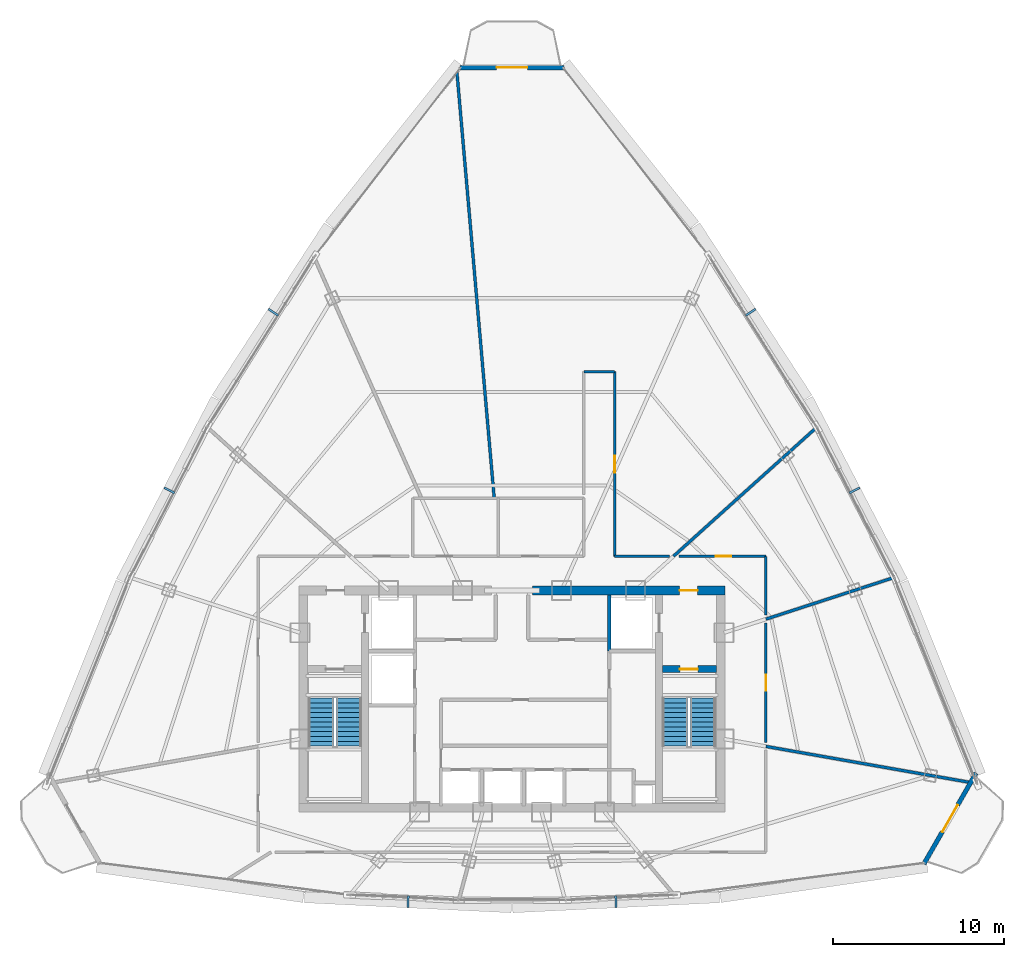
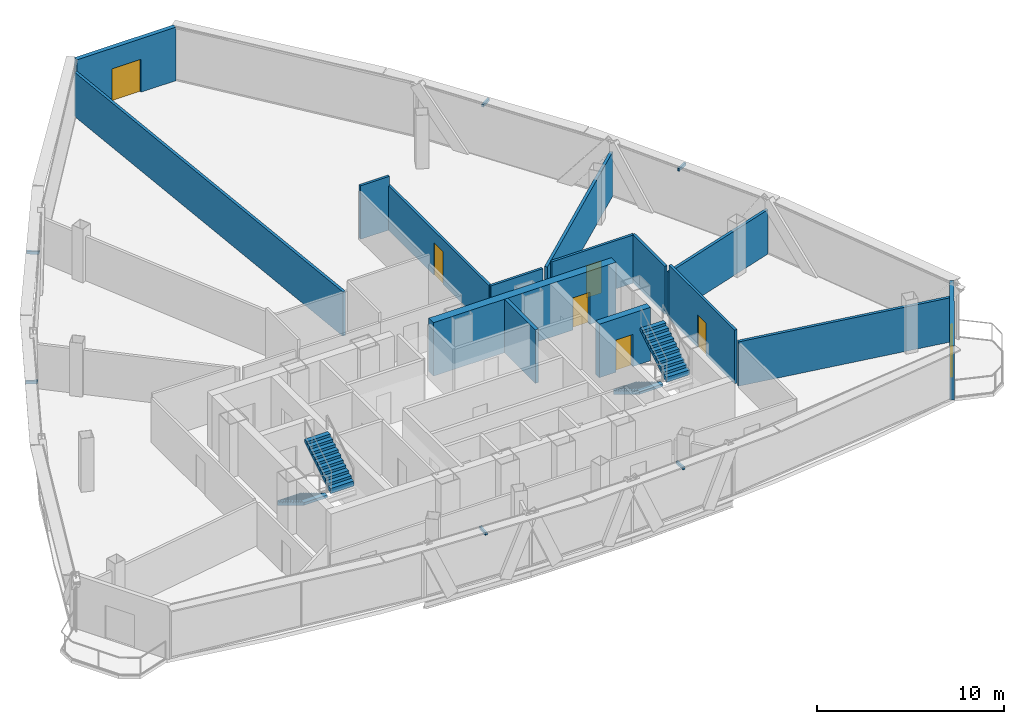
# One storey, part 27 of 30: 15 walls, 7 doors, 6 discrete accessories, 4 stair flights, 7 openings, 2 elements without a shape of their own.
"""IFC4 building model written with IfcOpenShell, lengths in metres."""

from ifc_helpers import new_model, si_unit, direction, frame, frame_2d, origin, origin_with_axes, origin_2d, place, context, subcontext, project, spatial, polyline, rectangle, outline, extrude, source, transform, mapped, material, layer, layer_set, type_object, element, fill, aggregate, save


model = new_model("IFC4")

# Units and contexts
model_context = context("Model", 3, precision=1e-05, world=origin(), true_north=direction((0.0, 1.0)))
body_context = subcontext(model_context, "Body", "Model", "MODEL_VIEW")
ifc_project = project(units=[si_unit("LENGTHUNIT", "METRE"), si_unit("AREAUNIT", "SQUARE_METRE"), si_unit("VOLUMEUNIT", "CUBIC_METRE"), si_unit("PLANEANGLEUNIT", "RADIAN"), si_unit("MASSUNIT", "GRAM", prefix="KILO"), si_unit("THERMODYNAMICTEMPERATUREUNIT", "KELVIN"), si_unit("POWERUNIT", "WATT")], contexts=[model_context])

# Site, building, storey
site_placement = place(None, origin())
site = spatial("IfcSite", under=ifc_project, at=site_placement, CompositionType="ELEMENT")
building_placement = place(site_placement, origin())
building = spatial("IfcBuilding", under=site, at=building_placement, Name="Yunzhuo Pagoda Commons", CompositionType="ELEMENT")
storey_placement = place(building_placement, frame((0.0, 0.0, 348.010009765625)))
storey = spatial("IfcBuildingStorey", under=building, at=storey_placement, Name="L87", CompositionType="ELEMENT", Elevation=348.010009765625)

# Wall, opening, door
ifc_material_1 = material(Name="Precast concrete C40", Category="concrete")
ifc_layer_1 = layer(ifc_material_1, 0.260009765625)
ifc_layer_set_1 = layer_set([ifc_layer_1], Name="Precast concrete C40")
wall_type_1 = type_object("IfcWallType", Name="W-BAL1 Corner Balcony Threshold Wall 260", PredefinedType="STANDARD", material=ifc_layer_set_1)
wall_1_placement = place(storey_placement, frame((72.085693359375, 24.211669921875, 0.0), z_axis=(0.0, 0.0, 1.0), x_axis=(0.49795859982, 0.867200803082, 0.0)))
wall_1 = element("IfcWall", 1, at=wall_1_placement, inside=storey, type_object=wall_type_1, Name="L87 corner balcony wall V2", PredefinedType="STANDARD", context=body_context, shape_type="SweptSolid", body=[
    extrude(rectangle(XDim=6.12255859375, YDim=0.260009765625, at=frame_2d((3.061279296875, 0.0))), origin(), (0.0, 0.0, 1.0), 3.489990234375),
])
opening_1_placement = place(wall_1_placement, frame((2.161376953125, 0.0, 0.0)))
opening_1 = element("IfcOpeningElement", 2, at=opening_1_placement, cuts=wall_1, Name="Opening D-BAL1", PredefinedType="OPENING", context=body_context, shape_type="SweptSolid", body=[
    extrude(rectangle(XDim=1.800048828125, YDim=2.14990234375, at=frame_2d((0.89990234375, 1.074951171875))), frame((0.0, 0.14013671875, 0.0), z_axis=(0.0, -1.0, 0.0), x_axis=(1.0, 0.0, 0.0)), (0.0, 0.0, 1.0), 0.280029296875),
])
ifc_material_2 = material(Name="Anodized aluminium frame and tempered glazed leaf", Category="aluminium")
door_type_1 = type_object("IfcDoorType", Name="D-BAL1 Corner Balcony Sliding Glazed Door 1800x2150", OperationType="DOUBLE_DOOR_SLIDING", PredefinedType="DOOR", material=ifc_material_2)
shared_shape_1 = source(origin(), body_context, "Body", "SweptSolid", [
    extrude(rectangle(XDim=1.800048828125, YDim=2.14990234375, at=frame_2d((0.89990234375, 1.074951171875))), frame((0.0, 0.02490234375, 0.0), z_axis=(0.0, -1.0, 0.0), x_axis=(1.0, 0.0, 0.0)), (0.0, 0.0, 1.0), 0.050048828125),
])
door_1_placement = place(opening_1_placement, origin_with_axes())
door_1 = element("IfcDoor", 3, at=door_1_placement, inside=storey, type_object=door_type_1, Name="L87 corner balcony sliding door V2", OperationType="DOUBLE_DOOR_SLIDING", OverallHeight=2.14990234375, OverallWidth=1.800048828125, PredefinedType="DOOR", context=body_context, shape_type="MappedRepresentation", body=[
    mapped(shared_shape_1, transform((0.0, 0.0, 0.0), scale=1.0)),
])
fill(opening_1, door_1)

wall_2_placement = place(storey_placement, frame((51.04931640625, 70.779052734375, 0.0), z_axis=(0.0, 0.0, 1.0), x_axis=(-1.0, 0.0, 0.0)))
wall_2 = element("IfcWall", 4, at=wall_2_placement, inside=storey, type_object=wall_type_1, Name="L87 corner balcony wall V3", PredefinedType="STANDARD", context=body_context, shape_type="SweptSolid", body=[
    extrude(rectangle(XDim=6.0986328125, YDim=0.260009765625, at=frame_2d((3.04931640625, 0.0))), origin(), (0.0, 0.0, 1.0), 3.489990234375),
])
opening_2_placement = place(wall_2_placement, frame((2.149169921875, 0.0, 0.0)))
opening_2 = element("IfcOpeningElement", 5, at=opening_2_placement, cuts=wall_2, Name="Opening D-BAL1", PredefinedType="OPENING", context=body_context, shape_type="SweptSolid", body=[
    extrude(rectangle(XDim=1.800048828125, YDim=2.14990234375, at=frame_2d((0.89990234375, 1.074951171875))), frame((0.0, 0.14013671875, 0.0), z_axis=(0.0, -1.0, 0.0), x_axis=(1.0, 0.0, 0.0)), (0.0, 0.0, 1.0), 0.280029296875),
])
door_2_placement = place(opening_2_placement, origin_with_axes())
door_2 = element("IfcDoor", 6, at=door_2_placement, inside=storey, type_object=door_type_1, Name="L87 corner balcony sliding door V3", OperationType="DOUBLE_DOOR_SLIDING", OverallHeight=2.14990234375, OverallWidth=1.800048828125, PredefinedType="DOOR", context=body_context, shape_type="MappedRepresentation", body=[
    mapped(shared_shape_1, transform((0.0, 0.0, 0.0), scale=1.0)),
])
fill(opening_2, door_2)

ifc_material_3 = material(Name="Concrete C50", Category="concrete")
ifc_layer_2 = layer(ifc_material_3, 0.5)
ifc_layer_set_2 = layer_set([ifc_layer_2], Name="Concrete C50")
wall_type_2 = type_object("IfcWallType", Name="W-C03 Upper Core Shear Wall 500", PredefinedType="SHEAR", material=ifc_layer_set_2)
wall_3_placement = place(storey_placement, frame((49.199951171875, 40.199951171875, 0.0), z_axis=(0.0, 0.0, 1.0), x_axis=(1.0, 0.0, 0.0)))
wall_3 = element("IfcWall", 7, at=wall_3_placement, inside=storey, type_object=wall_type_2, Name="L87 core shear wall NE", PredefinedType="SHEAR", context=body_context, shape_type="SweptSolid", body=[
    extrude(rectangle(XDim=11.25, YDim=0.5, at=frame_2d((5.625, 0.0))), origin(), (0.0, 0.0, 1.0), 3.489990234375),
])
opening_3_placement = place(wall_3_placement, frame((8.60009765625, 0.0, 0.0)))
opening_3 = element("IfcOpeningElement", 8, at=opening_3_placement, cuts=wall_3, Name="Opening D-02", PredefinedType="OPENING", context=body_context, shape_type="SweptSolid", body=[
    extrude(rectangle(XDim=1.050048828125, YDim=2.10009765625, at=frame_2d((0.52490234375, 1.050048828125))), frame((0.0, 0.260009765625, 0.0), z_axis=(0.0, -1.0, 0.0), x_axis=(1.0, 0.0, 0.0)), (0.0, 0.0, 1.0), 0.52001953125),
])
ifc_material_4 = material(Name="Galvanized fire-resisting metal leaf")
door_type_2 = type_object("IfcDoorType", Name="D-02 Firefighting Lobby & Refuge Fire Door 1050x2100", OperationType="NOTDEFINED", PredefinedType="DOOR", material=ifc_material_4)
shared_shape_2 = source(origin(), body_context, "Body", "SweptSolid", [
    extrude(rectangle(XDim=1.050048828125, YDim=2.10009765625, at=frame_2d((0.52490234375, 1.050048828125))), frame((0.0, 0.02490234375, 0.0), z_axis=(0.0, -1.0, 0.0), x_axis=(1.0, 0.0, 0.0)), (0.0, 0.0, 1.0), 0.050048828125),
])
door_3_placement = place(opening_3_placement, frame((1.050048828125, 0.0, 0.0), z_axis=(0.0, 0.0, 1.0), x_axis=(-1.0, 0.0, 0.0)))
door_3 = element("IfcDoor", 9, at=door_3_placement, inside=storey, type_object=door_type_2, Name="L87 Firefighting Lobby 2 fire door", OperationType="SINGLE_SWING_RIGHT", OverallHeight=2.10009765625, OverallWidth=1.050048828125, PredefinedType="DOOR", context=body_context, shape_type="MappedRepresentation", body=[
    mapped(shared_shape_2, transform((0.0, 0.0, 0.0), scale=1.0)),
])
fill(opening_3, door_3)

# Wall
ifc_material_5 = material(Name="Gypsum plasterboard on acoustic stud")
ifc_layer_3 = layer(ifc_material_5, 0.14990234375)
ifc_layer_set_3 = layer_set([ifc_layer_3], Name="Gypsum plasterboard on acoustic stud")
wall_type_3 = type_object("IfcWallType", Name="W-COR3 High-Zone Rated Corridor Wall 150", PredefinedType="PARTITIONING", material=ifc_layer_set_3)
wall_4_placement = place(storey_placement, frame((52.199951171875, 53.0, 0.0), z_axis=(0.0, 0.0, 1.0), x_axis=(1.0, 0.0, 0.0)))
element("IfcWall", 10, at=wall_4_placement, inside=storey, type_object=wall_type_3, Name="L87 interior wall IW-L87-CWL06", PredefinedType="PARTITIONING", context=body_context, shape_type="SweptSolid", body=[
    extrude(rectangle(XDim=1.800048828125, YDim=0.14990234375, at=frame_2d((0.89990234375, 0.0))), origin(), (0.0, 0.0, 1.0), 3.489990234375),
])

# Wall, opening, door
wall_5_placement = place(storey_placement, frame((54.0, 53.0, 0.0), z_axis=(0.0, 0.0, 1.0), x_axis=(0.0, -1.0, 0.0)))
wall_5 = element("IfcWall", 11, at=wall_5_placement, inside=storey, type_object=wall_type_3, Name="L87 interior wall IW-L87-CWL07", PredefinedType="PARTITIONING", context=body_context, shape_type="SweptSolid", body=[
    extrude(rectangle(XDim=10.800048828125, YDim=0.14990234375, at=frame_2d((5.39990234375, 0.0))), origin(), (0.0, 0.0, 1.0), 2.889892578125),
])
opening_4_placement = place(wall_5_placement, frame((4.925048828125, 0.0, 0.0)))
opening_4 = element("IfcOpeningElement", 12, at=opening_4_placement, cuts=wall_5, Name="Opening D-08", PredefinedType="OPENING", context=body_context, shape_type="SweptSolid", body=[
    extrude(rectangle(XDim=0.97998046875, YDim=2.1201171875, at=frame_2d((0.489990234375, 1.06005859375))), frame((0.0, 0.0849609375, 0.0), z_axis=(0.0, -1.0, 0.0), x_axis=(1.0, 0.0, 0.0)), (0.0, 0.0, 1.0), 0.169921875),
])
door_type_3 = type_object("IfcDoorType", Name="D-08 High-Zone Suite Entrance Fire Door 980x2120", OperationType="NOTDEFINED", PredefinedType="DOOR", material=ifc_material_4)
shared_shape_3 = source(origin(), body_context, "Body", "SweptSolid", [
    extrude(rectangle(XDim=0.97998046875, YDim=2.1201171875, at=frame_2d((0.489990234375, 1.06005859375))), frame((0.0, 0.02490234375, 0.0), z_axis=(0.0, -1.0, 0.0), x_axis=(1.0, 0.0, 0.0)), (0.0, 0.0, 1.0), 0.050048828125),
])
door_4_placement = place(opening_4_placement, origin_with_axes())
door_4 = element("IfcDoor", 13, at=door_4_placement, inside=storey, type_object=door_type_3, Name="L87 Shared Resident Kitchen and Pantry door", OperationType="SINGLE_SWING_LEFT", OverallHeight=2.1201171875, OverallWidth=0.97998046875, PredefinedType="DOOR", context=body_context, shape_type="MappedRepresentation", body=[
    mapped(shared_shape_3, transform((0.0, 0.0, 0.0), scale=1.0)),
])
fill(opening_4, door_4)

# Wall
wall_6_placement = place(storey_placement, frame((54.0, 42.199951171875, 0.0), z_axis=(0.0, 0.0, 1.0), x_axis=(1.0, 0.0, 0.0)))
element("IfcWall", 14, at=wall_6_placement, inside=storey, type_object=wall_type_3, Name="L87 interior wall IW-L87-CWL08", PredefinedType="PARTITIONING", context=body_context, shape_type="SweptSolid", body=[
    extrude(rectangle(XDim=3.220458984375, YDim=0.14990234375, at=frame_2d((1.6103515625, 0.0))), origin(), (0.0, 0.0, 1.0), 2.889892578125),
])

# Wall, opening, door
wall_7_placement = place(storey_placement, frame((57.76904296875, 42.199951171875, 0.0), z_axis=(0.0, 0.0, 1.0), x_axis=(1.0, 0.0, 0.0)))
wall_7 = element("IfcWall", 15, at=wall_7_placement, inside=storey, type_object=wall_type_3, Name="L87 interior wall IW-L87-CWL09", PredefinedType="PARTITIONING", context=body_context, shape_type="SweptSolid", body=[
    extrude(rectangle(XDim=5.0810546875, YDim=0.14990234375, at=frame_2d((2.54052734375, 0.0))), origin(), (0.0, 0.0, 1.0), 3.139892578125),
])
opening_5_placement = place(wall_7_placement, frame((2.14599609375, 0.0, 0.0)))
opening_5 = element("IfcOpeningElement", 16, at=opening_5_placement, cuts=wall_7, Name="Opening D-04", PredefinedType="OPENING", context=body_context, shape_type="SweptSolid", body=[
    extrude(rectangle(XDim=0.919921875, YDim=2.10009765625, at=frame_2d((0.4599609375, 1.050048828125))), frame((0.0, 0.0849609375, 0.0), z_axis=(0.0, -1.0, 0.0), x_axis=(1.0, 0.0, 0.0)), (0.0, 0.0, 1.0), 0.169921875),
])
ifc_material_6 = material(Name="Powder-coated aluminium and timber acoustic leaf", Category="wood")
door_type_4 = type_object("IfcDoorType", Name="D-04 Bedroom & Study Interior Door 920x2100", OperationType="NOTDEFINED", PredefinedType="DOOR", material=ifc_material_6)
shared_shape_4 = source(origin(), body_context, "Body", "SweptSolid", [
    extrude(rectangle(XDim=0.919921875, YDim=2.10009765625, at=frame_2d((0.4599609375, 1.050048828125))), frame((0.0, 0.02490234375, 0.0), z_axis=(0.0, -1.0, 0.0), x_axis=(1.0, 0.0, 0.0)), (0.0, 0.0, 1.0), 0.050048828125),
])
door_5_placement = place(opening_5_placement, origin_with_axes())
door_5 = element("IfcDoor", 17, at=door_5_placement, inside=storey, type_object=door_type_4, Name="L87 seminar room 02 door", OperationType="SINGLE_SWING_RIGHT", OverallHeight=2.10009765625, OverallWidth=0.919921875, PredefinedType="DOOR", context=body_context, shape_type="MappedRepresentation", body=[
    mapped(shared_shape_4, transform((0.0, 0.0, 0.0), scale=1.0)),
])
fill(opening_5, door_5)

# Wall
wall_8_placement = place(storey_placement, frame((62.85009765625, 42.199951171875, 0.0), z_axis=(0.0, 0.0, 1.0), x_axis=(0.0, -1.0, 0.0)))
element("IfcWall", 18, at=wall_8_placement, inside=storey, type_object=wall_type_3, Name="L87 interior wall IW-L87-CWL10", PredefinedType="PARTITIONING", context=body_context, shape_type="SweptSolid", body=[
    extrude(rectangle(XDim=3.443603515625, YDim=0.14990234375, at=frame_2d((1.7216796875, 0.0))), origin(), (0.0, 0.0, 1.0), 3.139892578125),
])

# Wall, opening, door
wall_9_placement = place(storey_placement, frame((62.85009765625, 38.305419921875, 0.0), z_axis=(0.0, 0.0, 1.0), x_axis=(0.0, -1.0, 0.0)))
wall_9 = element("IfcWall", 19, at=wall_9_placement, inside=storey, type_object=wall_type_3, Name="L87 interior wall IW-L87-CWL11", PredefinedType="PARTITIONING", context=body_context, shape_type="SweptSolid", body=[
    extrude(rectangle(XDim=7.004150390625, YDim=0.14990234375, at=frame_2d((3.501953125, 0.0))), origin(), (0.0, 0.0, 1.0), 3.489990234375),
])
opening_6_placement = place(wall_9_placement, frame((3.0419921875, 0.0, 0.0)))
opening_6 = element("IfcOpeningElement", 20, at=opening_6_placement, cuts=wall_9, Name="Opening D-04", PredefinedType="OPENING", context=body_context, shape_type="SweptSolid", body=[
    extrude(rectangle(XDim=0.919921875, YDim=2.10009765625, at=frame_2d((0.4599609375, 1.050048828125))), frame((0.0, 0.0849609375, 0.0), z_axis=(0.0, -1.0, 0.0), x_axis=(1.0, 0.0, 0.0)), (0.0, 0.0, 1.0), 0.169921875),
])
door_6_placement = place(opening_6_placement, origin_with_axes())
door_6 = element("IfcDoor", 21, at=door_6_placement, inside=storey, type_object=door_type_4, Name="L87 seminar room 01 door", OperationType="SINGLE_SWING_LEFT", OverallHeight=2.10009765625, OverallWidth=0.919921875, PredefinedType="DOOR", context=body_context, shape_type="MappedRepresentation", body=[
    mapped(shared_shape_4, transform((0.0, 0.0, 0.0), scale=1.0)),
])
fill(opening_6, door_6)

# Walls
ifc_layer_4 = layer(ifc_material_5, 0.169921875)
ifc_layer_set_4 = layer_set([ifc_layer_4], Name="Gypsum plasterboard on acoustic stud")
wall_type_4 = type_object("IfcWallType", Name="W-PRT4 High-Zone Demising Wall 170", PredefinedType="PARTITIONING", material=ifc_layer_set_4)
wall_10_placement = place(storey_placement, frame((62.85009765625, 38.525146484375, 0.0), z_axis=(0.0, 0.0, 1.0), x_axis=(0.951060216318, 0.309005606642, 0.0)))
element("IfcWall", 22, at=wall_10_placement, inside=storey, type_object=wall_type_4, Name="L87 interior wall IW-L87-RAD01", PredefinedType="PARTITIONING", context=body_context, shape_type="SweptSolid", body=[
    extrude(rectangle(XDim=7.889892578125, YDim=0.169921875, at=frame_2d((3.94482421875, 0.0))), origin(), (0.0, 0.0, 1.0), 2.889892578125),
])
wall_11_placement = place(storey_placement, frame((57.440185546875, 42.199951171875, 0.0), z_axis=(0.0, 0.0, 1.0), x_axis=(0.74314133574, 0.669134482085, 0.0)))
element("IfcWall", 23, at=wall_11_placement, inside=storey, type_object=wall_type_4, Name="L87 interior wall IW-L87-RAD02", PredefinedType="PARTITIONING", context=body_context, shape_type="SweptSolid", body=[
    extrude(rectangle(XDim=11.2822265625, YDim=0.169921875, at=frame_2d((5.64111328125, 0.0))), origin(), (0.0, 0.0, 1.0), 2.889892578125),
])
wall_12_placement = place(storey_placement, frame((46.958984375, 45.60009765625, 0.0), z_axis=(0.0, 0.0, 1.0), x_axis=(-0.087155434332, 0.996194725075, 0.0)))
element("IfcWall", 24, at=wall_12_placement, inside=storey, type_object=wall_type_4, Name="L87 interior wall IW-L87-RAD03", PredefinedType="PARTITIONING", context=body_context, shape_type="SweptSolid", body=[
    extrude(rectangle(XDim=24.98388671875, YDim=0.169921875, at=frame_2d((12.491943359375, 0.0))), origin(), (0.0, 0.0, 1.0), 2.889892578125),
])
wall_13_placement = place(storey_placement, frame((62.85009765625, 31.08154296875, 0.0), z_axis=(0.0, 0.0, 1.0), x_axis=(0.984808019511, -0.173646666272, 0.0)))
element("IfcWall", 25, at=wall_13_placement, inside=storey, type_object=wall_type_4, Name="L87 interior wall IW-L87-RAD10", PredefinedType="PARTITIONING", context=body_context, shape_type="SweptSolid", body=[
    extrude(rectangle(XDim=12.153076171875, YDim=0.169921875, at=frame_2d((6.07666015625, 0.0))), origin(), (0.0, 0.0, 1.0), 2.889892578125),
])

# Wall, opening, door
ifc_material_7 = material(Name="Concrete C60", Category="concrete")
ifc_layer_5 = layer(ifc_material_7, 0.39990234375)
ifc_layer_set_5 = layer_set([ifc_layer_5], Name="Concrete C60")
wall_type_5 = type_object("IfcWallType", Name="W-S01 Internal Core Shear Web 400", PredefinedType="SHEAR", material=ifc_layer_set_5)
wall_14_placement = place(storey_placement, frame((56.800048828125, 35.60009765625, 0.0), z_axis=(0.0, 0.0, 1.0), x_axis=(1.0, 0.0, 0.0)))
wall_14 = element("IfcWall", 26, at=wall_14_placement, inside=storey, type_object=wall_type_5, Name="L87 core shear wall STE", PredefinedType="SHEAR", context=body_context, shape_type="SweptSolid", body=[
    extrude(rectangle(XDim=3.14990234375, YDim=0.39990234375, at=frame_2d((1.574951171875, 0.0))), origin(), (0.0, 0.0, 1.0), 3.489990234375),
])
opening_7_placement = place(wall_14_placement, frame((1.02001953125, 0.0, 0.0)))
opening_7 = element("IfcOpeningElement", 27, at=opening_7_placement, cuts=wall_14, Name="Opening D-01", PredefinedType="OPENING", context=body_context, shape_type="SweptSolid", body=[
    extrude(rectangle(XDim=1.050048828125, YDim=2.10009765625, at=frame_2d((0.52490234375, 1.050048828125))), frame((0.0, 0.2099609375, 0.0), z_axis=(0.0, -1.0, 0.0), x_axis=(1.0, 0.0, 0.0)), (0.0, 0.0, 1.0), 0.419921875),
])
door_type_5 = type_object("IfcDoorType", Name="D-01 Smokeproof Stair Fire Door 1050x2100", OperationType="NOTDEFINED", PredefinedType="DOOR", material=ifc_material_4)
door_7_placement = place(opening_7_placement, frame((1.050048828125, 0.0, 0.0), z_axis=(0.0, 0.0, 1.0), x_axis=(-1.0, 0.0, 0.0)))
door_7 = element("IfcDoor", 28, at=door_7_placement, inside=storey, type_object=door_type_5, Name="L87 Stair ST2 fire door", OperationType="SINGLE_SWING_RIGHT", OverallHeight=2.10009765625, OverallWidth=1.050048828125, PredefinedType="DOOR", context=body_context, shape_type="MappedRepresentation", body=[
    mapped(shared_shape_2, transform((0.0, 0.0, 0.0), scale=1.0)),
])
fill(opening_7, door_7)

# Wall
ifc_material_8 = material(Name="Concrete C40", Category="concrete")
ifc_layer_6 = layer(ifc_material_8, 0.199951171875)
ifc_layer_set_6 = layer_set([ifc_layer_6], Name="Concrete C40")
wall_type_6 = type_object("IfcWallType", Name="W-SHF Shaft & Stair Enclosure Wall 200", PredefinedType="SOLIDWALL", material=ifc_layer_set_6)
wall_15_placement = place(storey_placement, frame((53.679931640625, 36.64990234375, 0.0), z_axis=(0.0, 0.0, 1.0), x_axis=(0.0, 1.0, 0.0)))
element("IfcWall", 29, at=wall_15_placement, inside=storey, type_object=wall_type_6, Name="L87 interior wall IW-L87-FL2W", PredefinedType="SOLIDWALL", context=body_context, shape_type="SweptSolid", body=[
    extrude(rectangle(XDim=3.300048828125, YDim=0.199951171875, at=frame_2d((1.64990234375, 0.0))), origin(), (0.0, 0.0, 1.0), 3.489990234375),
])

# Stair, stair flights
stair_type_1 = type_object("IfcStairType", Name="ST-C1 Core Smokeproof Stair ST1", PredefinedType="HALF_TURN_STAIR", material=ifc_material_8)
stair_1_placement = place(storey_placement, origin())
stair_1 = element("IfcStair", 30, at=stair_1_placement, inside=storey, type_object=stair_type_1, Name="L87 Core smokeproof stair ST1", PredefinedType="HALF_TURN_STAIR")
stair_flight_type_1 = type_object("IfcStairFlightType", Name="STF-C1 Core Stair Flight 1450", PredefinedType="STRAIGHT", material=ifc_material_8)
shared_shape_5 = source(origin(), body_context, "Body", "SweptSolid", [
    extrude(outline(polyline([(0.0, -0.14990234375), (0.0, 0.0), (0.0, 0.17041015625), (0.280029296875, 0.17041015625), (0.280029296875, 0.3408203125), (0.56005859375, 0.3408203125), (0.56005859375, 0.511474609375), (0.840087890625, 0.511474609375), (0.840087890625, 0.681884765625), (1.1201171875, 0.681884765625), (1.1201171875, 0.852294921875), (1.39990234375, 0.852294921875), (1.39990234375, 1.022705078125), (1.679931640625, 1.022705078125), (1.679931640625, 1.193115234375), (1.9599609375, 1.193115234375), (1.9599609375, 1.363525390625), (2.239990234375, 1.363525390625), (2.239990234375, 1.5341796875), (2.52001953125, 1.5341796875), (2.52001953125, 1.70458984375), (2.800048828125, 1.70458984375), (2.800048828125, 1.875), (2.800048828125, 1.529052734375), (0.288330078125, 0.0), (0.050048828125, -0.14990234375), (0.0, -0.14990234375)])), frame((0.0, 0.72509765625, 0.0), z_axis=(0.0, -1.0, 0.0), x_axis=(1.0, 0.0, 0.0)), (0.0, 0.0, 1.0), 1.449951171875),
])
stair_flight_1_placement = place(storey_placement, frame((36.824951171875, 33.89990234375, 0.0), z_axis=(0.0, 0.0, 1.0), x_axis=(0.0, -1.0, 0.0)))
stair_flight_1 = element("IfcStairFlight", 31, at=stair_flight_1_placement, type_object=stair_flight_type_1, Name="ST1 flight 1", NumberOfRisers=11, NumberOfTreads=10, PredefinedType="STRAIGHT", RiserHeight=0.170454545, TreadLength=0.28, context=body_context, shape_type="MappedRepresentation", body=[
    mapped(shared_shape_5, transform((0.0, 0.0, 0.0), scale=1.0)),
])
stair_flight_2_placement = place(storey_placement, frame((38.47509765625, 31.10009765625, 1.875), z_axis=(0.0, 0.0, 1.0), x_axis=(0.0, 1.0, 0.0)))
stair_flight_2 = element("IfcStairFlight", 32, at=stair_flight_2_placement, type_object=stair_flight_type_1, Name="ST1 flight 2", NumberOfRisers=11, NumberOfTreads=10, PredefinedType="STRAIGHT", RiserHeight=0.170454545, TreadLength=0.28, context=body_context, shape_type="MappedRepresentation", body=[
    mapped(shared_shape_5, transform((0.0, 0.0, 0.0), scale=1.0)),
])
aggregate(stair_1, [stair_flight_1, stair_flight_2])

stair_type_2 = type_object("IfcStairType", Name="ST-C2 Core Smokeproof Stair ST2", PredefinedType="HALF_TURN_STAIR", material=ifc_material_8)
stair_2_placement = place(storey_placement, origin())
stair_2 = element("IfcStair", 33, at=stair_2_placement, inside=storey, type_object=stair_type_2, Name="L87 Core smokeproof stair ST2", PredefinedType="HALF_TURN_STAIR")
stair_flight_type_2 = type_object("IfcStairFlightType", Name="STF-C2 Core Stair Flight 1460", PredefinedType="STRAIGHT", material=ifc_material_8)
stair_flight_3_placement = place(storey_placement, frame((57.52490234375, 33.89990234375, 0.0), z_axis=(0.0, 0.0, 1.0), x_axis=(0.0, -1.0, 0.0)))
stair_flight_3 = element("IfcStairFlight", 34, at=stair_flight_3_placement, type_object=stair_flight_type_2, Name="ST2 flight 1", NumberOfRisers=11, NumberOfTreads=10, PredefinedType="STRAIGHT", RiserHeight=0.170454545, TreadLength=0.28, context=body_context, shape_type="MappedRepresentation", body=[
    mapped(shared_shape_5, transform((0.0, 0.0, 0.0), scale=1.0)),
])
stair_flight_4_placement = place(storey_placement, frame((59.175048828125, 31.10009765625, 1.875), z_axis=(0.0, 0.0, 1.0), x_axis=(0.0, 1.0, 0.0)))
stair_flight_4 = element("IfcStairFlight", 35, at=stair_flight_4_placement, type_object=stair_flight_type_2, Name="ST2 flight 2", NumberOfRisers=11, NumberOfTreads=10, PredefinedType="STRAIGHT", RiserHeight=0.170454545, TreadLength=0.28, context=body_context, shape_type="MappedRepresentation", body=[
    mapped(shared_shape_5, transform((0.0, 0.0, 0.0), scale=1.0)),
])
aggregate(stair_2, [stair_flight_3, stair_flight_4])

# Discrete accessories
ifc_material_9 = material(Name="Anodized aluminium 6063-T6", Category="aluminium")
discrete_accessory_type = type_object("IfcDiscreteAccessoryType", Name="BK-SUN1 Sunshade Outrigger Bracket", PredefinedType="BRACKET", material=ifc_material_9)
shared_shape_6 = source(origin(), body_context, "Body", "SweptSolid", [
    extrude(rectangle(XDim=0.1201171875, YDim=0.679931640625, at=origin_2d()), origin(), (0.0, 0.0, 1.0), 0.179931640625),
])
for number, where, z_axis, x_axis, name in (
    (36, (41.922119140625, 22.01025390625, 3.27978515625), (0.0, 0.0, 1.0), (0.998818891953, -0.048588281289, 0.0), "L87 sunshade outrigger bracket F1.2"),
    (37, (54.077880859375, 22.01025390625, 3.27978515625), (0.0, 0.0, 1.0), (0.998818891953, 0.048588281289, 0.0), "L87 sunshade outrigger bracket F1.3"),
    (38, (68.03271484375, 46.05419921875, 3.27978515625), (0.0, 0.0, 1.0), (-0.461191196783, 0.88730078328, 0.0), "L87 sunshade outrigger bracket F2.2"),
    (39, (61.954345703125, 56.466796875, 3.27978515625), (0.0, 0.0, 1.0), (-0.545853380833, 0.837880711458, 0.0), "L87 sunshade outrigger bracket F2.3"),
    (40, (34.045654296875, 56.466796875, 3.27978515625), (0.0, 0.0, 1.0), (-0.545853380833, -0.837880711458, 0.0), "L87 sunshade outrigger bracket F3.2"),
    (41, (27.96728515625, 46.05419921875, 3.27978515625), (0.0, 0.0, 1.0), (-0.461191196783, -0.88730078328, 0.0), "L87 sunshade outrigger bracket F3.3"),
):
    element("IfcDiscreteAccessory", number, at=place(storey_placement, frame(where, z_axis=z_axis, x_axis=x_axis)), inside=storey, type_object=discrete_accessory_type, Name=name, PredefinedType="BRACKET", context=body_context, shape_type="MappedRepresentation", body=[
        mapped(shared_shape_6, transform((0.0, 0.0, 0.0), scale=1.0)),
    ])

save(model, "model.ifc")
